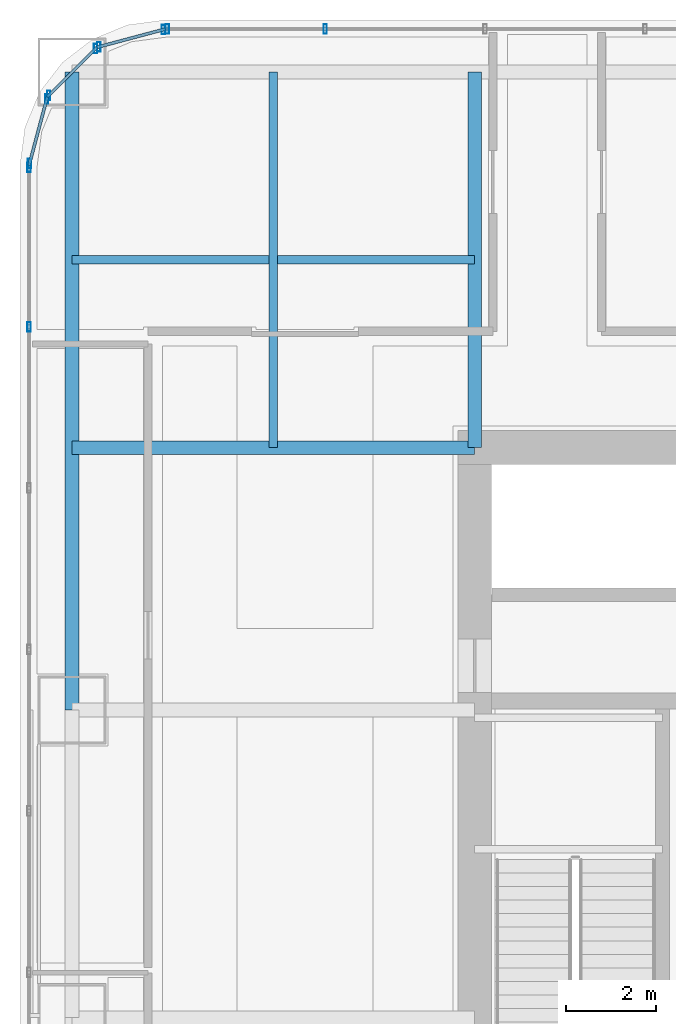
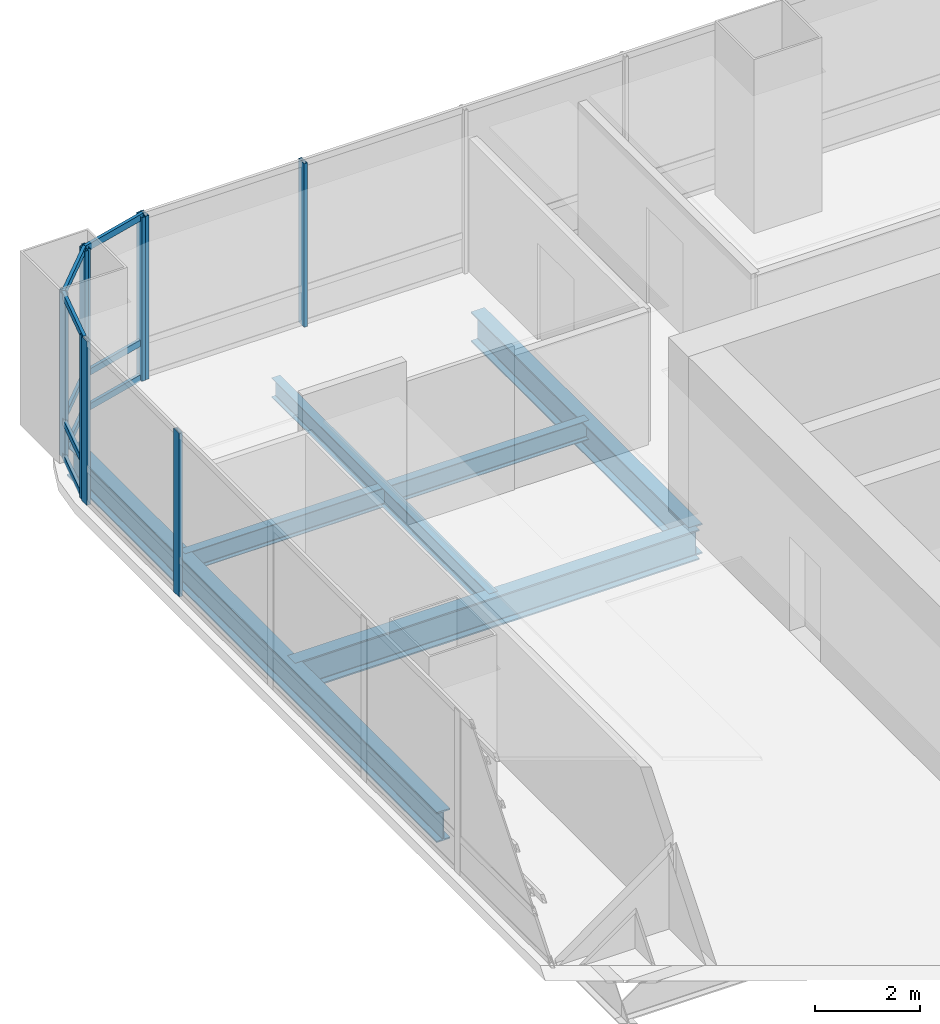
# One storey, part 18 of 35: 19 members, 5 beams, 5 elements without a shape of their own.
"""IFC4 building model written with IfcOpenShell, lengths in metres."""

from ifc_helpers import new_model, si_unit, direction, frame, origin, origin_2d, place, context, subcontext, project, spatial, hollow_rectangle, i_section, extrude, material, material_profile, profile_set, type_object, element, aggregate, save


model = new_model("IFC4")

# Units and contexts
model_context = context("Model", 3, precision=1e-05, world=origin(), true_north=direction((0.0, 1.0)))
body_context = subcontext(model_context, "Body", "Model", "MODEL_VIEW")
ifc_project = project(units=[si_unit("LENGTHUNIT", "METRE"), si_unit("AREAUNIT", "SQUARE_METRE"), si_unit("VOLUMEUNIT", "CUBIC_METRE"), si_unit("PLANEANGLEUNIT", "RADIAN"), si_unit("MASSUNIT", "GRAM", prefix="KILO")], contexts=[model_context])

# Site, building, storey
site_placement = place(None, origin())
site = spatial("IfcSite", under=ifc_project, at=site_placement, CompositionType="ELEMENT")
building_placement = place(site_placement, origin())
building = spatial("IfcBuilding", under=site, at=building_placement, Name="Punatoya Terracotta Tower", CompositionType="ELEMENT")
storey_placement = place(building_placement, frame((0.0, 0.0, 64.64990234375)))
storey = spatial("IfcBuildingStorey", under=building, at=storey_placement, Name="L14", CompositionType="ELEMENT", Elevation=64.64990234375)

# Beams
ifc_material_1 = material(Name="Steel S355", Category="steel")
ifc_material_profile_1 = material_profile(ifc_material_1, i_section(OverallWidth=0.300048828125, OverallDepth=0.699951171875, WebThickness=0.01708984375, FlangeThickness=0.031982421875, FilletRadius=0.01806640625, at=origin_2d()))
ifc_profile_set_1 = profile_set([ifc_material_profile_1], Name="Steel S355")
beam_type_1 = type_object("IfcBeamType", Name="BM-PRI-700", PredefinedType="BEAM", material=ifc_profile_set_1)
beam_1_placement = place(storey_placement, frame((-19.10009765625, 3.39990234375, -0.58984375), z_axis=(0.0, 1.0, 0.0), x_axis=(-1.0, 0.0, 0.0)))
element("IfcBeam", 1, at=beam_1_placement, inside=storey, type_object=beam_type_1, Name="BM-L14-RG-W3", PredefinedType="BEAM", context=body_context, shape_type="SweptSolid", body=[
    extrude(i_section(OverallWidth=0.300048828125, OverallDepth=0.699951171875, WebThickness=0.01708984375, FlangeThickness=0.031982421875, FilletRadius=0.01806640625, at=origin_2d()), origin(), (0.0, 0.0, 1.0), 14.10009765625),
])
beam_2_placement = place(storey_placement, frame((-19.10009765625, 9.199951171875, -0.58984375), z_axis=(1.0, 0.0, 0.0), x_axis=(0.0, 1.0, 0.0)))
element("IfcBeam", 2, at=beam_2_placement, inside=storey, type_object=beam_type_1, Name="BM-L14-PR-WN", PredefinedType="BEAM", context=body_context, shape_type="SweptSolid", body=[
    extrude(i_section(OverallWidth=0.300048828125, OverallDepth=0.699951171875, WebThickness=0.01708984375, FlangeThickness=0.031982421875, FilletRadius=0.01806640625, at=origin_2d()), origin(), (0.0, 0.0, 1.0), 8.900146484375),
])
beam_3_placement = place(storey_placement, frame((-10.199951171875, 9.199951171875, -0.58984375), z_axis=(0.0, 1.0, 0.0), x_axis=(-1.0, 0.0, 0.0)))
element("IfcBeam", 3, at=beam_3_placement, inside=storey, type_object=beam_type_1, Name="BM-L14-PR-N1", PredefinedType="BEAM", context=body_context, shape_type="SweptSolid", body=[
    extrude(i_section(OverallWidth=0.300048828125, OverallDepth=0.699951171875, WebThickness=0.01708984375, FlangeThickness=0.031982421875, FilletRadius=0.01806640625, at=origin_2d()), origin(), (0.0, 0.0, 1.0), 8.300048828125),
])
ifc_material_profile_2 = material_profile(ifc_material_1, i_section(OverallWidth=0.18994140625, OverallDepth=0.449951171875, WebThickness=0.009521484375, FlangeThickness=0.0146484375, FilletRadius=0.01806640625, at=origin_2d()))
ifc_profile_set_2 = profile_set([ifc_material_profile_2], Name="Steel S355")
beam_type_2 = type_object("IfcBeamType", Name="BM-SEC-450", PredefinedType="JOIST", material=ifc_profile_set_2)
beam_4_placement = place(storey_placement, frame((-19.10009765625, 13.35009765625, -0.46484375), z_axis=(1.0, 0.0, 0.0), x_axis=(0.0, 1.0, 0.0)))
element("IfcBeam", 4, at=beam_4_placement, inside=storey, type_object=beam_type_2, Name="BM-L14-SJN-1", PredefinedType="JOIST", context=body_context, shape_type="SweptSolid", body=[
    extrude(i_section(OverallWidth=0.18994140625, OverallDepth=0.449951171875, WebThickness=0.009521484375, FlangeThickness=0.0146484375, FilletRadius=0.01806640625, at=origin_2d()), origin(), (0.0, 0.0, 1.0), 8.900146484375),
])
beam_5_placement = place(storey_placement, frame((-14.64990234375, 9.199951171875, -0.46484375), z_axis=(0.0, 1.0, 0.0), x_axis=(-1.0, 0.0, 0.0)))
element("IfcBeam", 5, at=beam_5_placement, inside=storey, type_object=beam_type_2, Name="BM-L14-SJW-2", PredefinedType="JOIST", context=body_context, shape_type="SweptSolid", body=[
    extrude(i_section(OverallWidth=0.18994140625, OverallDepth=0.449951171875, WebThickness=0.009521484375, FlangeThickness=0.0146484375, FilletRadius=0.01806640625, at=origin_2d()), origin(), (0.0, 0.0, 1.0), 8.300048828125),
])

# Curtain wall, members
ifc_material_2 = material(Name="Aluminium 6063-T6 + Double Low-E Glass", Category="aluminium")
curtain_wall_type = type_object("IfcCurtainWallType", Name="CW-M1", PredefinedType="NOTDEFINED", material=ifc_material_2)
curtain_wall_1_placement = place(storey_placement, origin())
curtain_wall_1 = element("IfcCurtainWall", 6, at=curtain_wall_1_placement, inside=storey, type_object=curtain_wall_type, Name="L14 Curtain Wall CW-L14-N09-1", PredefinedType="NOTDEFINED")
ifc_material_3 = material(Name="Aluminium 6063-T6", Category="aluminium")
ifc_material_profile_3 = material_profile(ifc_material_3, hollow_rectangle(XDim=0.074951171875, YDim=0.2099609375, WallThickness=0.00439453125, at=origin_2d()))
ifc_profile_set_3 = profile_set([ifc_material_profile_3], Name="Aluminium 6063-T6")
member_type_1 = type_object("IfcMemberType", Name="CW-MUL-M1", PredefinedType="MULLION", material=ifc_profile_set_3)
member_1_placement = place(storey_placement, frame((-13.5029296875, 18.449951171875, 0.0), z_axis=(0.0, 0.0, 1.0), x_axis=(1.0, 0.0, 0.0)))
member_1 = element("IfcMember", 7, at=member_1_placement, type_object=member_type_1, Name="CW-L14-N09-1 Mullion 10", PredefinedType="MULLION", context=body_context, shape_type="SweptSolid", body=[
    extrude(hollow_rectangle(XDim=0.074951171875, YDim=0.2099609375, WallThickness=0.00439453125, at=origin_2d()), origin(), (0.0, 0.0, 1.0), 3.81005859375),
])
member_2_placement = place(storey_placement, frame((-16.991943359375, 18.449951171875, 0.0), z_axis=(0.0, 0.0, 1.0), x_axis=(1.0, 0.0, 0.0)))
member_2 = element("IfcMember", 8, at=member_2_placement, type_object=member_type_1, Name="CW-L14-N09-1 Mullion 11", PredefinedType="MULLION", context=body_context, shape_type="SweptSolid", body=[
    extrude(hollow_rectangle(XDim=0.074951171875, YDim=0.2099609375, WallThickness=0.00439453125, at=origin_2d()), origin(), (0.0, 0.0, 1.0), 3.81005859375),
])
aggregate(curtain_wall_1, [member_1, member_2])

curtain_wall_2_placement = place(storey_placement, origin())
curtain_wall_2 = element("IfcCurtainWall", 9, at=curtain_wall_2_placement, inside=storey, type_object=curtain_wall_type, Name="L14 Curtain Wall CW-L14-CRN10", PredefinedType="NOTDEFINED")
member_3_placement = place(storey_placement, frame((-17.080322265625, 18.4384765625, 0.0), z_axis=(0.0, 0.0, 1.0), x_axis=(1.0, 0.0, 0.0)))
member_3 = element("IfcMember", 10, at=member_3_placement, type_object=member_type_1, Name="CW-L14-CRN10 Mullion 00", PredefinedType="MULLION", context=body_context, shape_type="SweptSolid", body=[
    extrude(hollow_rectangle(XDim=0.074951171875, YDim=0.2099609375, WallThickness=0.00439453125, at=origin_2d()), origin(), (0.0, 0.0, 1.0), 3.81005859375),
])
member_4_placement = place(storey_placement, frame((-18.505615234375, 18.05810546875, 0.0), z_axis=(0.0, 0.0, 1.0), x_axis=(1.0, 0.0, 0.0)))
member_4 = element("IfcMember", 11, at=member_4_placement, type_object=member_type_1, Name="CW-L14-CRN10 Mullion 01", PredefinedType="MULLION", context=body_context, shape_type="SweptSolid", body=[
    extrude(hollow_rectangle(XDim=0.074951171875, YDim=0.2099609375, WallThickness=0.00439453125, at=origin_2d()), origin(), (0.0, 0.0, 1.0), 3.81005859375),
])

curtain_wall_3_placement = place(storey_placement, origin())
curtain_wall_3 = element("IfcCurtainWall", 12, at=curtain_wall_3_placement, inside=storey, type_object=curtain_wall_type, Name="L14 Curtain Wall CW-L14-CRN11", PredefinedType="NOTDEFINED")
member_5_placement = place(storey_placement, frame((-18.580810546875, 18.014892578125, 0.0), z_axis=(0.0, 0.0, 1.0), x_axis=(1.0, 0.0, 0.0)))
member_5 = element("IfcMember", 13, at=member_5_placement, type_object=member_type_1, Name="CW-L14-CRN11 Mullion 00", PredefinedType="MULLION", context=body_context, shape_type="SweptSolid", body=[
    extrude(hollow_rectangle(XDim=0.074951171875, YDim=0.2099609375, WallThickness=0.00439453125, at=origin_2d()), origin(), (0.0, 0.0, 1.0), 3.81005859375),
])
member_6_placement = place(storey_placement, frame((-19.61474609375, 16.98095703125, 0.0), z_axis=(0.0, 0.0, 1.0), x_axis=(1.0, 0.0, 0.0)))
member_6 = element("IfcMember", 14, at=member_6_placement, type_object=member_type_1, Name="CW-L14-CRN11 Mullion 01", PredefinedType="MULLION", context=body_context, shape_type="SweptSolid", body=[
    extrude(hollow_rectangle(XDim=0.074951171875, YDim=0.2099609375, WallThickness=0.00439453125, at=origin_2d()), origin(), (0.0, 0.0, 1.0), 3.81005859375),
])

curtain_wall_4_placement = place(storey_placement, origin())
curtain_wall_4 = element("IfcCurtainWall", 15, at=curtain_wall_4_placement, inside=storey, type_object=curtain_wall_type, Name="L14 Curtain Wall CW-L14-CRN12", PredefinedType="NOTDEFINED")
member_7_placement = place(storey_placement, frame((-19.658203125, 16.905517578125, 0.0), z_axis=(0.0, 0.0, 1.0), x_axis=(1.0, 0.0, 0.0)))
member_7 = element("IfcMember", 16, at=member_7_placement, type_object=member_type_1, Name="CW-L14-CRN12 Mullion 00", PredefinedType="MULLION", context=body_context, shape_type="SweptSolid", body=[
    extrude(hollow_rectangle(XDim=0.074951171875, YDim=0.2099609375, WallThickness=0.00439453125, at=origin_2d()), origin(), (0.0, 0.0, 1.0), 3.81005859375),
])
member_8_placement = place(storey_placement, frame((-20.038330078125, 15.48046875, 0.0), z_axis=(0.0, 0.0, 1.0), x_axis=(1.0, 0.0, 0.0)))
member_8 = element("IfcMember", 17, at=member_8_placement, type_object=member_type_1, Name="CW-L14-CRN12 Mullion 01", PredefinedType="MULLION", context=body_context, shape_type="SweptSolid", body=[
    extrude(hollow_rectangle(XDim=0.074951171875, YDim=0.2099609375, WallThickness=0.00439453125, at=origin_2d()), origin(), (0.0, 0.0, 1.0), 3.81005859375),
])

curtain_wall_5_placement = place(storey_placement, origin())
curtain_wall_5 = element("IfcCurtainWall", 18, at=curtain_wall_5_placement, inside=storey, type_object=curtain_wall_type, Name="L14 Curtain Wall CW-L14-W13-1", PredefinedType="NOTDEFINED")
member_9_placement = place(storey_placement, frame((-20.050048828125, 15.391845703125, 0.0), z_axis=(0.0, 0.0, 1.0), x_axis=(1.0, 0.0, 0.0)))
member_9 = element("IfcMember", 19, at=member_9_placement, type_object=member_type_1, Name="CW-L14-W13-1 Mullion 00", PredefinedType="MULLION", context=body_context, shape_type="SweptSolid", body=[
    extrude(hollow_rectangle(XDim=0.074951171875, YDim=0.2099609375, WallThickness=0.00439453125, at=origin_2d()), origin(), (0.0, 0.0, 1.0), 3.81005859375),
])
member_10_placement = place(storey_placement, frame((-20.050048828125, 11.869384765625, 0.0), z_axis=(0.0, 0.0, 1.0), x_axis=(1.0, 0.0, 0.0)))
member_10 = element("IfcMember", 20, at=member_10_placement, type_object=member_type_1, Name="CW-L14-W13-1 Mullion 01", PredefinedType="MULLION", context=body_context, shape_type="SweptSolid", body=[
    extrude(hollow_rectangle(XDim=0.074951171875, YDim=0.2099609375, WallThickness=0.00439453125, at=origin_2d()), origin(), (0.0, 0.0, 1.0), 3.81005859375),
])
aggregate(curtain_wall_5, [member_9, member_10])

# Member
ifc_material_profile_4 = material_profile(ifc_material_3, hollow_rectangle(XDim=0.068115234375, YDim=0.14990234375, WallThickness=0.00390625, at=origin_2d()))
ifc_profile_set_4 = profile_set([ifc_material_profile_4], Name="Aluminium 6063-T6")
member_type_2 = type_object("IfcMemberType", Name="CW-TRN-TYP", PredefinedType="USERDEFINED", material=ifc_profile_set_4)
member_11_placement = place(storey_placement, frame((-17.036865234375, 18.449951171875, 0.0400390625), z_axis=(-0.966224582397, -0.257701486942, 0.0), x_axis=(0.257701486942, -0.966224582397, 0.0)))
member_11 = element("IfcMember", 21, at=member_11_placement, type_object=member_type_2, Name="CW-L14-CRN10 Transom 1", ObjectType="TRANSOM", PredefinedType="USERDEFINED", context=body_context, shape_type="SweptSolid", body=[
    extrude(hollow_rectangle(XDim=0.068115234375, YDim=0.14990234375, WallThickness=0.00390625, at=origin_2d()), origin(), (0.0, 0.0, 1.0), 1.565185546875),
])

member_12_placement = place(storey_placement, frame((-17.036865234375, 18.449951171875, 0.85009765625), z_axis=(-0.966224582397, -0.257701486942, 0.0), x_axis=(0.257701486942, -0.966224582397, 0.0)))
member_12 = element("IfcMember", 22, at=member_12_placement, type_object=member_type_2, Name="CW-L14-CRN10 Transom 2", ObjectType="TRANSOM", PredefinedType="USERDEFINED", context=body_context, shape_type="SweptSolid", body=[
    extrude(hollow_rectangle(XDim=0.068115234375, YDim=0.14990234375, WallThickness=0.00390625, at=origin_2d()), origin(), (0.0, 0.0, 1.0), 1.565185546875),
])

member_13_placement = place(storey_placement, frame((-17.036865234375, 18.449951171875, 3.77001953125), z_axis=(-0.966224582397, -0.257701486942, 0.0), x_axis=(0.257701486942, -0.966224582397, 0.0)))
member_13 = element("IfcMember", 23, at=member_13_placement, type_object=member_type_2, Name="CW-L14-CRN10 Transom 3", ObjectType="TRANSOM", PredefinedType="USERDEFINED", context=body_context, shape_type="SweptSolid", body=[
    extrude(hollow_rectangle(XDim=0.068115234375, YDim=0.14990234375, WallThickness=0.00390625, at=origin_2d()), origin(), (0.0, 0.0, 1.0), 1.565185546875),
])

aggregate(curtain_wall_2, [member_3, member_4, member_11, member_12, member_13])

member_14_placement = place(storey_placement, frame((-18.549072265625, 18.046630859375, 0.0400390625), z_axis=(-0.707106781187, -0.707106781187, 0.0), x_axis=(0.707106781187, -0.707106781187, 0.0)))
member_14 = element("IfcMember", 24, at=member_14_placement, type_object=member_type_2, Name="CW-L14-CRN11 Transom 1", ObjectType="TRANSOM", PredefinedType="USERDEFINED", context=body_context, shape_type="SweptSolid", body=[
    extrude(hollow_rectangle(XDim=0.068115234375, YDim=0.14990234375, WallThickness=0.00390625, at=origin_2d()), origin(), (0.0, 0.0, 1.0), 1.552001953125),
])

member_15_placement = place(storey_placement, frame((-18.549072265625, 18.046630859375, 0.85009765625), z_axis=(-0.707106781187, -0.707106781187, 0.0), x_axis=(0.707106781187, -0.707106781187, 0.0)))
member_15 = element("IfcMember", 25, at=member_15_placement, type_object=member_type_2, Name="CW-L14-CRN11 Transom 2", ObjectType="TRANSOM", PredefinedType="USERDEFINED", context=body_context, shape_type="SweptSolid", body=[
    extrude(hollow_rectangle(XDim=0.068115234375, YDim=0.14990234375, WallThickness=0.00390625, at=origin_2d()), origin(), (0.0, 0.0, 1.0), 1.552001953125),
])

member_16_placement = place(storey_placement, frame((-18.549072265625, 18.046630859375, 3.77001953125), z_axis=(-0.707106781187, -0.707106781187, 0.0), x_axis=(0.707106781187, -0.707106781187, 0.0)))
member_16 = element("IfcMember", 26, at=member_16_placement, type_object=member_type_2, Name="CW-L14-CRN11 Transom 3", ObjectType="TRANSOM", PredefinedType="USERDEFINED", context=body_context, shape_type="SweptSolid", body=[
    extrude(hollow_rectangle(XDim=0.068115234375, YDim=0.14990234375, WallThickness=0.00390625, at=origin_2d()), origin(), (0.0, 0.0, 1.0), 1.552001953125),
])

aggregate(curtain_wall_3, [member_5, member_6, member_14, member_15, member_16])

member_17_placement = place(storey_placement, frame((-19.646484375, 16.94921875, 0.0400390625), z_axis=(-0.257847112249, -0.966185730957, 0.0), x_axis=(0.966185730957, -0.257847112249, 0.0)))
member_17 = element("IfcMember", 27, at=member_17_placement, type_object=member_type_2, Name="CW-L14-CRN12 Transom 1", ObjectType="TRANSOM", PredefinedType="USERDEFINED", context=body_context, shape_type="SweptSolid", body=[
    extrude(hollow_rectangle(XDim=0.068115234375, YDim=0.14990234375, WallThickness=0.00390625, at=origin_2d()), origin(), (0.0, 0.0, 1.0), 1.565185546875),
])

member_18_placement = place(storey_placement, frame((-19.646484375, 16.94921875, 0.85009765625), z_axis=(-0.257847112249, -0.966185730957, 0.0), x_axis=(0.966185730957, -0.257847112249, 0.0)))
member_18 = element("IfcMember", 28, at=member_18_placement, type_object=member_type_2, Name="CW-L14-CRN12 Transom 2", ObjectType="TRANSOM", PredefinedType="USERDEFINED", context=body_context, shape_type="SweptSolid", body=[
    extrude(hollow_rectangle(XDim=0.068115234375, YDim=0.14990234375, WallThickness=0.00390625, at=origin_2d()), origin(), (0.0, 0.0, 1.0), 1.565185546875),
])

member_19_placement = place(storey_placement, frame((-19.646484375, 16.94921875, 3.77001953125), z_axis=(-0.257847112249, -0.966185730957, 0.0), x_axis=(0.966185730957, -0.257847112249, 0.0)))
member_19 = element("IfcMember", 29, at=member_19_placement, type_object=member_type_2, Name="CW-L14-CRN12 Transom 3", ObjectType="TRANSOM", PredefinedType="USERDEFINED", context=body_context, shape_type="SweptSolid", body=[
    extrude(hollow_rectangle(XDim=0.068115234375, YDim=0.14990234375, WallThickness=0.00390625, at=origin_2d()), origin(), (0.0, 0.0, 1.0), 1.565185546875),
])

aggregate(curtain_wall_4, [member_7, member_8, member_17, member_18, member_19])

save(model, "model.ifc")
